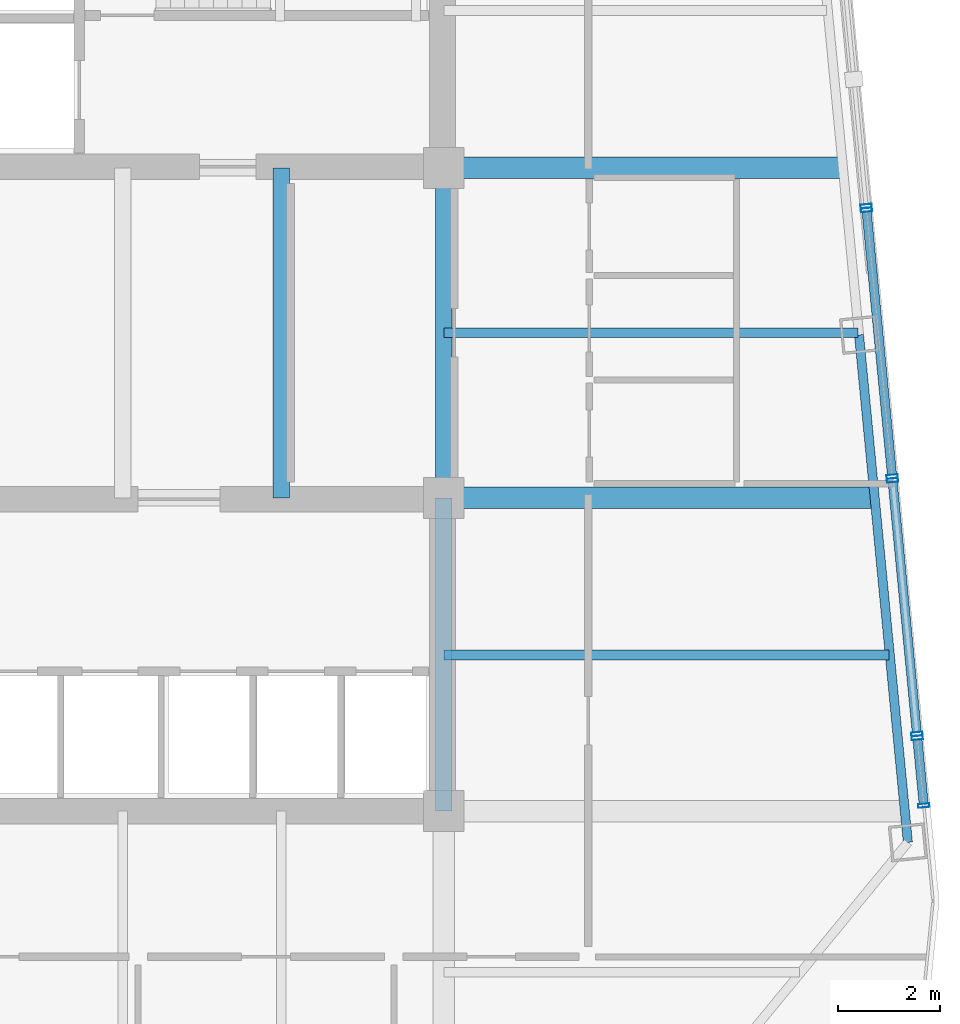
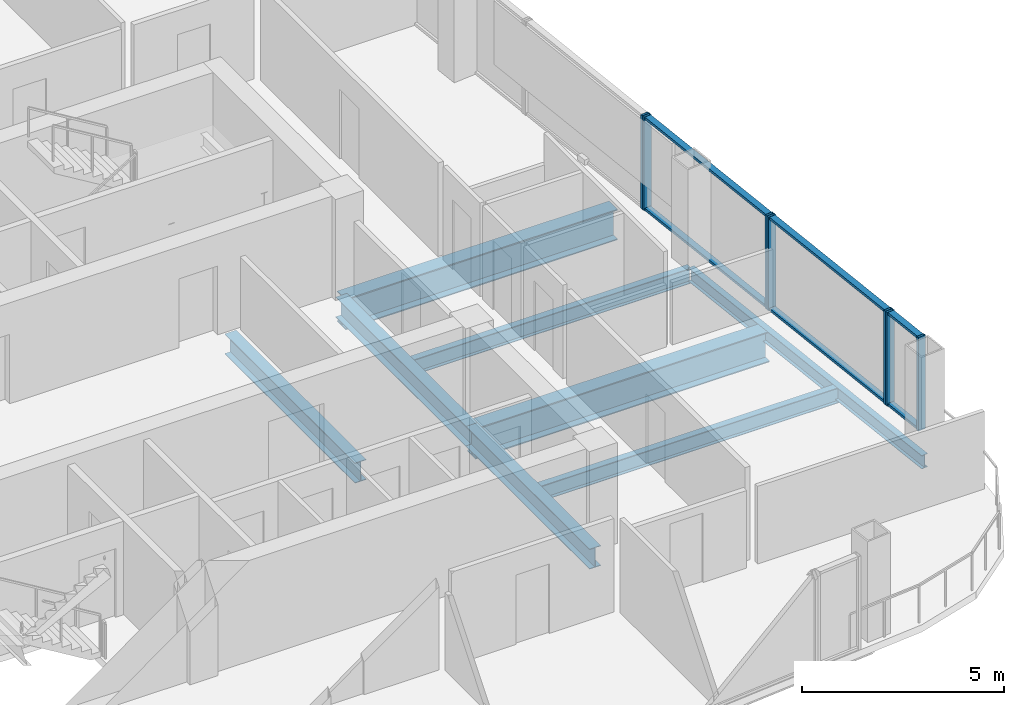
# One storey, part 10 of 22: 13 members, 8 beams, 4 elements without a shape of their own.
"""IFC4 building model written with IfcOpenShell, lengths in metres."""

from ifc_helpers import new_model, si_unit, direction, frame, origin, origin_2d, place, context, subcontext, project, spatial, hollow_rectangle, i_section, extrude, material, layer, layer_set, material_profile, profile_set, type_object, element, aggregate, save


model = new_model("IFC4")

# Units and contexts
model_context = context("Model", 3, precision=1e-05, world=origin(), true_north=direction((0.0, 1.0)))
body_context = subcontext(model_context, "Body", "Model", "MODEL_VIEW")
ifc_project = project(units=[si_unit("LENGTHUNIT", "METRE"), si_unit("AREAUNIT", "SQUARE_METRE"), si_unit("VOLUMEUNIT", "CUBIC_METRE"), si_unit("PLANEANGLEUNIT", "RADIAN"), si_unit("MASSUNIT", "GRAM", prefix="KILO")], contexts=[model_context])

# Site, building, storey
site_placement = place(None, origin())
site = spatial("IfcSite", under=ifc_project, at=site_placement, CompositionType="ELEMENT")
building_placement = place(site_placement, origin())
building = spatial("IfcBuilding", under=site, at=building_placement, Name="Qhalaya Broadcast Tower", CompositionType="ELEMENT")
storey_placement = place(building_placement, frame((0.0, 0.0, 165.300048828125)))
storey = spatial("IfcBuildingStorey", under=building, at=storey_placement, Name="L48", CompositionType="ELEMENT", Elevation=165.300048828125)

# Beams
ifc_material_1 = material(Name="Structural Steel ASTM A992 Grade 50", Category="steel")
ifc_material_profile_1 = material_profile(ifc_material_1, i_section(OverallWidth=0.19189453125, OverallDepth=0.462890625, WebThickness=0.010498046875, FlangeThickness=0.017578125, at=origin_2d()), Name="W18X60")
ifc_profile_set_1 = profile_set([ifc_material_profile_1], Name="Structural Steel ASTM A992 Grade 50")
beam_type_1 = type_object("IfcBeamType", Name="Composite Floor Joist J03", PredefinedType="JOIST", material=ifc_profile_set_1)
beam_1_placement = place(storey_placement, frame((9.375, -5.699951171875, -0.45166015625), z_axis=(1.0, 0.0, 0.0), x_axis=(0.0, 1.0, 0.0)))
element("IfcBeam", 1, at=beam_1_placement, inside=storey, type_object=beam_type_1, Name="L48 J03 L48-JWE3E-1", PredefinedType="JOIST", context=body_context, shape_type="SweptSolid", body=[
    extrude(i_section(OverallWidth=0.19189453125, OverallDepth=0.462890625, WebThickness=0.010498046875, FlangeThickness=0.017578125, at=origin_2d()), origin(), (0.0, 0.0, 1.0), 8.7001953125),
])
beam_2_placement = place(storey_placement, frame((9.375, 0.60009765625, -0.45166015625), z_axis=(1.0, 0.0, 0.0), x_axis=(0.0, 1.0, 0.0)))
element("IfcBeam", 2, at=beam_2_placement, inside=storey, type_object=beam_type_1, Name="L48 J03 L48-JWE4E-1", PredefinedType="JOIST", context=body_context, shape_type="SweptSolid", body=[
    extrude(i_section(OverallWidth=0.19189453125, OverallDepth=0.462890625, WebThickness=0.010498046875, FlangeThickness=0.017578125, at=origin_2d()), origin(), (0.0, 0.0, 1.0), 8.093505859375),
])
ifc_material_profile_2 = material_profile(ifc_material_1, i_section(OverallWidth=0.323974609375, OverallDepth=0.612060546875, WebThickness=0.0126953125, FlangeThickness=0.01904296875, at=origin_2d()), Name="W24X104")
ifc_profile_set_2 = profile_set([ifc_material_profile_2], Name="Structural Steel ASTM A992 Grade 50")
beam_type_2 = type_object("IfcBeamType", Name="Core Frame Tie Beam B04", PredefinedType="BEAM", material=ifc_profile_set_2)
beam_3_placement = place(storey_placement, frame((9.375, -8.75, -0.526123046875), z_axis=(0.0, 1.0, 0.0), x_axis=(-1.0, 0.0, 0.0)))
element("IfcBeam", 3, at=beam_3_placement, inside=storey, type_object=beam_type_2, Name="L48 B04 L48-CCS2", PredefinedType="BEAM", context=body_context, shape_type="SweptSolid", body=[
    extrude(i_section(OverallWidth=0.323974609375, OverallDepth=0.612060546875, WebThickness=0.0126953125, FlangeThickness=0.01904296875, at=origin_2d()), origin(), (0.0, 0.0, 1.0), 6.125),
])
for number, where, z_axis, x_axis, name in (
    (4, (9.375, -2.625, -0.526123046875), (0.0, 1.0, 0.0), (-1.0, 0.0, 0.0), "L48 B04 L48-CCE"),
    (5, (6.199951171875, -2.625, -0.526123046875), (0.0, 1.0, 0.0), (-1.0, 0.0, 0.0), "L48 B04 L48-JC5-1"),
):
    element("IfcBeam", number, at=place(storey_placement, frame(where, z_axis=z_axis, x_axis=x_axis)), inside=storey, type_object=beam_type_2, Name=name, PredefinedType="BEAM", context=body_context, shape_type="SweptSolid", body=[
        extrude(i_section(OverallWidth=0.323974609375, OverallDepth=0.612060546875, WebThickness=0.0126953125, FlangeThickness=0.01904296875, at=origin_2d()), origin(), (0.0, 0.0, 1.0), 6.449951171875),
    ])
ifc_material_profile_3 = material_profile(ifc_material_1, i_section(OverallWidth=0.4189453125, OverallDepth=0.927001953125, WebThickness=0.019287109375, FlangeThickness=0.031982421875, at=origin_2d()), Name="W36X231")
ifc_profile_set_3 = profile_set([ifc_material_profile_3], Name="Structural Steel ASTM A992 Grade 50")
beam_type_3 = type_object("IfcBeamType", Name="Mid Block Primary Girder PG3", PredefinedType="USERDEFINED", material=ifc_profile_set_3)
beam_4_placement = place(storey_placement, frame((9.375, -2.625, -0.68359375), z_axis=(1.0, 0.0, 0.0), x_axis=(0.0, 1.0, 0.0)))
element("IfcBeam", 6, at=beam_4_placement, inside=storey, type_object=beam_type_3, Name="L48 PG3 L48-PGYE2-1", ObjectType="GIRDER", PredefinedType="USERDEFINED", context=body_context, shape_type="SweptSolid", body=[
    extrude(i_section(OverallWidth=0.4189453125, OverallDepth=0.927001953125, WebThickness=0.019287109375, FlangeThickness=0.031982421875, at=origin_2d()), origin(), (0.0, 0.0, 1.0), 8.404052734375),
])
beam_5_placement = place(storey_placement, frame((9.375, 3.824951171875, -0.68359375), z_axis=(1.0, 0.0, 0.0), x_axis=(0.0, 1.0, 0.0)))
element("IfcBeam", 7, at=beam_5_placement, inside=storey, type_object=beam_type_3, Name="L48 PG3 L48-PGYE3-1", ObjectType="GIRDER", PredefinedType="USERDEFINED", context=body_context, shape_type="SweptSolid", body=[
    extrude(i_section(OverallWidth=0.4189453125, OverallDepth=0.927001953125, WebThickness=0.019287109375, FlangeThickness=0.031982421875, at=origin_2d()), origin(), (0.0, 0.0, 1.0), 7.782958984375),
])

# Curtain wall, members
ifc_material_2 = material(Name="Solar-Control Low-E Triple Glazing", Category="glass")
ifc_layer_1 = layer(ifc_material_2, 0.219970703125, Name="Solar-Control Low-E Triple Glazing")
ifc_layer_set_1 = layer_set([ifc_layer_1], Name="Solar-Control Low-E Triple Glazing")
curtain_wall_type_1 = type_object("IfcCurtainWallType", Name="Even-Block 4-Storey Double-Module Curtain Wall CW-03", PredefinedType="NOTDEFINED", material=ifc_layer_set_1)
curtain_wall_1_placement = place(storey_placement, origin())
curtain_wall_1 = element("IfcCurtainWall", 8, at=curtain_wall_1_placement, inside=storey, type_object=curtain_wall_type_1, Name="L48 Unitised Curtain Wall L48-CW-E1", PredefinedType="NOTDEFINED")
ifc_material_3 = material(Name="Anodised Aluminium 6063-T6", Category="aluminium")
ifc_material_profile_4 = material_profile(ifc_material_3, hollow_rectangle(XDim=0.074951171875, YDim=0.219970703125, WallThickness=0.00390625, at=origin_2d()), Name="ALU-MUL 75x220x4")
ifc_profile_set_4 = profile_set([ifc_material_profile_4], Name="Anodised Aluminium 6063-T6")
member_type_1 = type_object("IfcMemberType", Name="Unitised Curtain-Wall Mullion M01", PredefinedType="MULLION", material=ifc_profile_set_4)
member_1_placement = place(storey_placement, frame((18.76025390625, -8.64111328125, 0.0), z_axis=(0.0, 0.0, 1.0), x_axis=(-0.095873796301, 0.99539349766, 0.0)))
member_1 = element("IfcMember", 9, at=member_1_placement, type_object=member_type_1, Name="CW-03 mullion 1", PredefinedType="MULLION", context=body_context, shape_type="SweptSolid", body=[
    extrude(hollow_rectangle(XDim=0.074951171875, YDim=0.219970703125, WallThickness=0.00390625, at=origin_2d()), origin(), (0.0, 0.0, 1.0), 2.829833984375),
])
member_2_placement = place(storey_placement, frame((18.6328125, -7.3173828125, 0.0), z_axis=(0.0, 0.0, 1.0), x_axis=(-0.095873796301, 0.99539349766, 0.0)))
member_2 = element("IfcMember", 10, at=member_2_placement, type_object=member_type_1, Name="CW-03 mullion 2", PredefinedType="MULLION", context=body_context, shape_type="SweptSolid", body=[
    extrude(hollow_rectangle(XDim=0.074951171875, YDim=0.219970703125, WallThickness=0.00390625, at=origin_2d()), origin(), (0.0, 0.0, 1.0), 2.829833984375),
])

ifc_material_4 = material(Name="Fired Architectural Terracotta", Category="masonry")
ifc_layer_2 = layer(ifc_material_4, 0.219970703125, Name="Fired Architectural Terracotta")
ifc_layer_set_2 = layer_set([ifc_layer_2], Name="Fired Architectural Terracotta")
curtain_wall_type_2 = type_object("IfcCurtainWallType", Name="Block-Cap Unitised Terracotta Spandrel Wall CW-07", PredefinedType="NOTDEFINED", material=ifc_layer_set_2)
curtain_wall_2_placement = place(storey_placement, origin())
curtain_wall_2 = element("IfcCurtainWall", 11, at=curtain_wall_2_placement, inside=storey, type_object=curtain_wall_type_2, Name="L48 Unitised Curtain Wall L48-CW-E2", PredefinedType="NOTDEFINED")
member_3_placement = place(storey_placement, frame((18.62548828125, -7.24267578125, 0.0), z_axis=(0.0, 0.0, 1.0), x_axis=(-0.09584506238, 0.99539626482, 0.0)))
member_3 = element("IfcMember", 12, at=member_3_placement, type_object=member_type_1, Name="CW-07 mullion 1", PredefinedType="MULLION", context=body_context, shape_type="SweptSolid", body=[
    extrude(hollow_rectangle(XDim=0.074951171875, YDim=0.219970703125, WallThickness=0.00390625, at=origin_2d()), origin(), (0.0, 0.0, 1.0), 2.829833984375),
])
member_4_placement = place(storey_placement, frame((18.148193359375, -2.284423828125, 0.0), z_axis=(0.0, 0.0, 1.0), x_axis=(-0.09584506238, 0.99539626482, 0.0)))
member_4 = element("IfcMember", 13, at=member_4_placement, type_object=member_type_1, Name="CW-07 mullion 2", PredefinedType="MULLION", context=body_context, shape_type="SweptSolid", body=[
    extrude(hollow_rectangle(XDim=0.074951171875, YDim=0.219970703125, WallThickness=0.00390625, at=origin_2d()), origin(), (0.0, 0.0, 1.0), 2.829833984375),
])

curtain_wall_3_placement = place(storey_placement, origin())
curtain_wall_3 = element("IfcCurtainWall", 14, at=curtain_wall_3_placement, inside=storey, type_object=curtain_wall_type_1, Name="L48 Unitised Curtain Wall L48-CW-E3", PredefinedType="NOTDEFINED")
member_5_placement = place(storey_placement, frame((18.140869140625, -2.2099609375, 0.0), z_axis=(0.0, 0.0, 1.0), x_axis=(-0.095839772631, 0.995396774147, 0.0)))
member_5 = element("IfcMember", 15, at=member_5_placement, type_object=member_type_1, Name="CW-03 mullion 1", PredefinedType="MULLION", context=body_context, shape_type="SweptSolid", body=[
    extrude(hollow_rectangle(XDim=0.074951171875, YDim=0.219970703125, WallThickness=0.00390625, at=origin_2d()), origin(), (0.0, 0.0, 1.0), 2.829833984375),
])
member_6_placement = place(storey_placement, frame((17.63916015625, 3.001953125, 0.0), z_axis=(0.0, 0.0, 1.0), x_axis=(-0.095839772631, 0.995396774147, 0.0)))
member_6 = element("IfcMember", 16, at=member_6_placement, type_object=member_type_1, Name="CW-03 mullion 2", PredefinedType="MULLION", context=body_context, shape_type="SweptSolid", body=[
    extrude(hollow_rectangle(XDim=0.074951171875, YDim=0.219970703125, WallThickness=0.00390625, at=origin_2d()), origin(), (0.0, 0.0, 1.0), 2.829833984375),
])

# Curtain wall, member
curtain_wall_4_placement = place(storey_placement, origin())
curtain_wall_4 = element("IfcCurtainWall", 17, at=curtain_wall_4_placement, inside=storey, type_object=curtain_wall_type_2, Name="L48 Unitised Curtain Wall L48-CW-E4", PredefinedType="NOTDEFINED")
member_7_placement = place(storey_placement, frame((17.6318359375, 3.07666015625, 0.0), z_axis=(0.0, 0.0, 1.0), x_axis=(-0.095846949325, 0.995396083127, 0.0)))
member_7 = element("IfcMember", 18, at=member_7_placement, type_object=member_type_1, Name="CW-07 mullion 1", PredefinedType="MULLION", context=body_context, shape_type="SweptSolid", body=[
    extrude(hollow_rectangle(XDim=0.074951171875, YDim=0.219970703125, WallThickness=0.00390625, at=origin_2d()), origin(), (0.0, 0.0, 1.0), 2.829833984375),
])
aggregate(curtain_wall_4, [member_7])

# Member
ifc_material_profile_5 = material_profile(ifc_material_3, hollow_rectangle(XDim=0.074951171875, YDim=0.179931640625, WallThickness=0.00390625, at=origin_2d()), Name="ALU-TRN 75x180x4")
ifc_profile_set_5 = profile_set([ifc_material_profile_5], Name="Anodised Aluminium 6063-T6")
member_type_2 = type_object("IfcMemberType", Name="Unitised Curtain-Wall Transom T01", PredefinedType="USERDEFINED", material=ifc_profile_set_5)
member_8_placement = place(storey_placement, frame((18.756591796875, -8.603759765625, 0.037353515625), z_axis=(-0.095920015465, 0.995389044863, 0.0), x_axis=(0.0, 0.0, 1.0)))
member_8 = element("IfcMember", 19, at=member_8_placement, type_object=member_type_2, Name="CW-03 transom 1.1", ObjectType="TRANSOM", PredefinedType="USERDEFINED", context=body_context, shape_type="SweptSolid", body=[
    extrude(hollow_rectangle(XDim=0.074951171875, YDim=0.179931640625, WallThickness=0.00390625, at=origin_2d()), origin(), (0.0, 0.0, 1.0), 1.2548828125),
])

member_9_placement = place(storey_placement, frame((18.756591796875, -8.603759765625, 2.79248046875), z_axis=(-0.095920015465, 0.995389044863, 0.0), x_axis=(0.0, 0.0, 1.0)))
member_9 = element("IfcMember", 20, at=member_9_placement, type_object=member_type_2, Name="CW-03 transom 1.2", ObjectType="TRANSOM", PredefinedType="USERDEFINED", context=body_context, shape_type="SweptSolid", body=[
    extrude(hollow_rectangle(XDim=0.074951171875, YDim=0.179931640625, WallThickness=0.00390625, at=origin_2d()), origin(), (0.0, 0.0, 1.0), 1.2548828125),
])

aggregate(curtain_wall_1, [member_1, member_2, member_8, member_9])

member_10_placement = place(storey_placement, frame((18.621826171875, -7.205322265625, 0.037353515625), z_axis=(-0.095842309482, 0.995396529888, 0.0), x_axis=(0.0, 0.0, 1.0)))
member_10 = element("IfcMember", 21, at=member_10_placement, type_object=member_type_2, Name="CW-07 transom 1.1", ObjectType="TRANSOM", PredefinedType="USERDEFINED", context=body_context, shape_type="SweptSolid", body=[
    extrude(hollow_rectangle(XDim=0.074951171875, YDim=0.179931640625, WallThickness=0.00390625, at=origin_2d()), origin(), (0.0, 0.0, 1.0), 4.90625),
])

member_11_placement = place(storey_placement, frame((18.621826171875, -7.205322265625, 2.79248046875), z_axis=(-0.095842309482, 0.995396529888, 0.0), x_axis=(0.0, 0.0, 1.0)))
member_11 = element("IfcMember", 22, at=member_11_placement, type_object=member_type_2, Name="CW-07 transom 1.2", ObjectType="TRANSOM", PredefinedType="USERDEFINED", context=body_context, shape_type="SweptSolid", body=[
    extrude(hollow_rectangle(XDim=0.074951171875, YDim=0.179931640625, WallThickness=0.00390625, at=origin_2d()), origin(), (0.0, 0.0, 1.0), 4.90625),
])

aggregate(curtain_wall_2, [member_3, member_4, member_10, member_11])

member_12_placement = place(storey_placement, frame((18.13720703125, -2.172607421875, 0.037353515625), z_axis=(-0.09584040213, 0.995396713537, 0.0), x_axis=(0.0, 0.0, 1.0)))
member_12 = element("IfcMember", 23, at=member_12_placement, type_object=member_type_2, Name="CW-03 transom 1.1", ObjectType="TRANSOM", PredefinedType="USERDEFINED", context=body_context, shape_type="SweptSolid", body=[
    extrude(hollow_rectangle(XDim=0.074951171875, YDim=0.179931640625, WallThickness=0.00390625, at=origin_2d()), origin(), (0.0, 0.0, 1.0), 5.160888671875),
])

member_13_placement = place(storey_placement, frame((18.13720703125, -2.172607421875, 2.79248046875), z_axis=(-0.09584040213, 0.995396713537, 0.0), x_axis=(0.0, 0.0, 1.0)))
member_13 = element("IfcMember", 24, at=member_13_placement, type_object=member_type_2, Name="CW-03 transom 1.2", ObjectType="TRANSOM", PredefinedType="USERDEFINED", context=body_context, shape_type="SweptSolid", body=[
    extrude(hollow_rectangle(XDim=0.074951171875, YDim=0.179931640625, WallThickness=0.00390625, at=origin_2d()), origin(), (0.0, 0.0, 1.0), 5.160888671875),
])

aggregate(curtain_wall_3, [member_5, member_6, member_12, member_13])

# Beam
ifc_material_profile_6 = material_profile(ifc_material_1, i_section(OverallWidth=0.177978515625, OverallDepth=0.406005859375, WebThickness=0.0078125, FlangeThickness=0.0126953125, at=origin_2d()), Name="W16X40")
ifc_profile_set_6 = profile_set([ifc_material_profile_6], Name="Structural Steel ASTM A992 Grade 50")
beam_type_4 = type_object("IfcBeamType", Name="Upper Perimeter Spandrel Beam SP2", PredefinedType="SPANDREL", material=ifc_profile_set_6)
beam_6_placement = place(storey_placement, frame((18.44775390625, -9.362060546875, -0.423095703125), z_axis=(-0.095826293365, 0.995398071879, 0.0), x_axis=(-0.995398071879, -0.095826293365, 0.0)))
element("IfcBeam", 25, at=beam_6_placement, inside=storey, type_object=beam_type_4, Name="L48 SP2 L48-SPR-05", PredefinedType="SPANDREL", context=body_context, shape_type="SweptSolid", body=[
    extrude(i_section(OverallWidth=0.177978515625, OverallDepth=0.406005859375, WebThickness=0.0078125, FlangeThickness=0.0126953125, at=origin_2d()), origin(), (0.0, 0.0, 1.0), 9.966796875),
])

save(model, "model.ifc")
